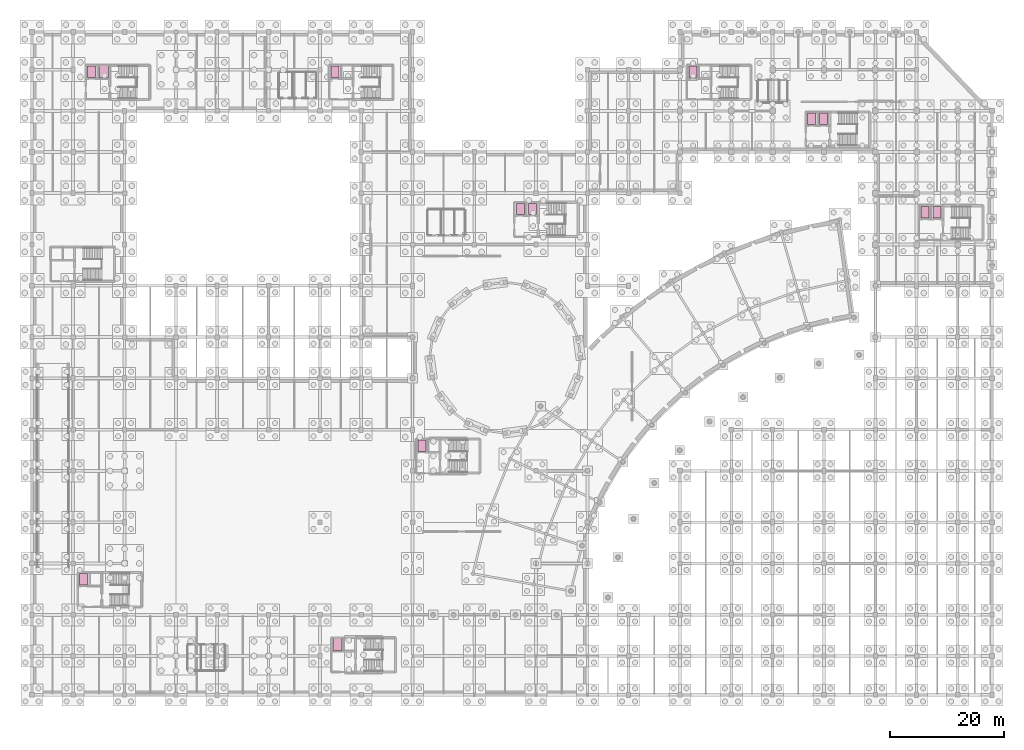
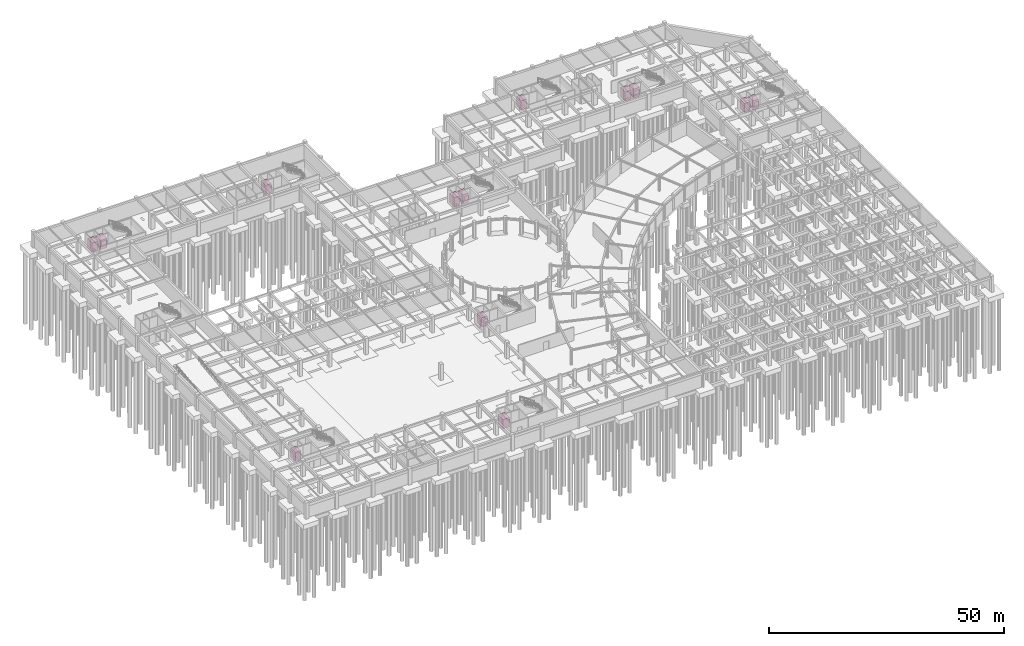
# One storey, part 42 of 42: 13 transport elements.
"""IFC4 building model written with IfcOpenShell, lengths in metres."""

from ifc_helpers import new_model, si_unit, direction, frame, origin, origin_2d, place, context, subcontext, project, spatial, rectangle, extrude, material, type_object, element, save


model = new_model("IFC4")

# Units and contexts
model_context = context("Model", 3, precision=1e-05, world=origin(), true_north=direction((0.0, 1.0)))
body_context = subcontext(model_context, "Body", "Model", "MODEL_VIEW")
ifc_project = project(units=[si_unit("LENGTHUNIT", "METRE"), si_unit("AREAUNIT", "SQUARE_METRE"), si_unit("VOLUMEUNIT", "CUBIC_METRE"), si_unit("PLANEANGLEUNIT", "RADIAN"), si_unit("MASSUNIT", "GRAM", prefix="KILO")], contexts=[model_context])

# Site, building, storey
site_placement = place(None, origin())
site = spatial("IfcSite", under=ifc_project, at=site_placement, CompositionType="ELEMENT")
building_placement = place(site_placement, origin())
building = spatial("IfcBuilding", under=site, at=building_placement, Name="Clarverna Civic Hall", CompositionType="ELEMENT")
storey_placement = place(building_placement, frame((0.0, 0.0, -4.199951171875)))
storey = spatial("IfcBuildingStorey", under=building, at=storey_placement, Name="B01", CompositionType="ELEMENT", Elevation=-4.199951171875)

# Transport elements
ifc_material_1 = material(Name="Brushed Bronze Stainless Lift Car")
transport_element_type_1 = type_object("IfcTransportElementType", Name="LF-FF1", PredefinedType="ELEVATOR", material=ifc_material_1)
for number, where, z_axis, x_axis, name in (
    (1, (136.449951171875, 100.820068359375, 0.0), (0.0, 0.0, 1.0), (1.0, 0.0, 0.0), "EL-01"),
    (2, (156.25, 84.419921875, 0.0), (0.0, 0.0, 1.0), (1.0, 0.0, 0.0), "EL-02"),
    (3, (85.449951171875, 85.02001953125, 0.0), (0.0, 0.0, 1.0), (1.0, 0.0, 0.0), "EL-03"),
    (4, (10.449951171875, 109.02001953125, 0.0), (0.0, 0.0, 1.0), (1.0, 0.0, 0.0), "EL-04"),
):
    element("IfcTransportElement", number, at=place(storey_placement, frame(where, z_axis=z_axis, x_axis=x_axis)), inside=storey, type_object=transport_element_type_1, Name=name, PredefinedType="ELEVATOR", context=body_context, shape_type="SweptSolid", body=[
        extrude(rectangle(XDim=1.39990234375, YDim=2.0, at=origin_2d()), origin(), (0.0, 0.0, 1.0), 2.39990234375),
    ])
ifc_material_2 = material(Name="Brushed Stainless Heavy-Duty Goods Lift Car")
transport_element_type_2 = type_object("IfcTransportElementType", Name="LF-GD1", PredefinedType="ELEVATOR", material=ifc_material_2)
for number, where, z_axis, x_axis, name in (
    (5, (12.550048828125, 109.02001953125, 0.0), (0.0, 0.0, 1.0), (1.0, 0.0, 0.0), "GL-01"),
    (6, (53.449951171875, 8.820068359375, 0.0), (0.0, 0.0, 1.0), (1.0, 0.0, 0.0), "GL-02"),
):
    element("IfcTransportElement", number, at=place(storey_placement, frame(where, z_axis=z_axis, x_axis=x_axis)), inside=storey, type_object=transport_element_type_2, Name=name, PredefinedType="ELEVATOR", context=body_context, shape_type="SweptSolid", body=[
        extrude(rectangle(XDim=1.60009765625, YDim=2.199951171875, at=origin_2d()), origin(), (0.0, 0.0, 1.0), 2.39990234375),
    ])
transport_element_type_3 = type_object("IfcTransportElementType", Name="LF-PA1", PredefinedType="ELEVATOR", material=ifc_material_1)
for number, where, z_axis, x_axis, name in (
    (7, (138.550048828125, 100.820068359375, 0.0), (0.0, 0.0, 1.0), (1.0, 0.0, 0.0), "PL-01"),
    (8, (158.35009765625, 84.419921875, 0.0), (0.0, 0.0, 1.0), (1.0, 0.0, 0.0), "PL-02"),
    (9, (87.550048828125, 85.02001953125, 0.0), (0.0, 0.0, 1.0), (1.0, 0.0, 0.0), "PL-03"),
    (10, (68.25, 43.6201171875, 0.0), (0.0, 0.0, 1.0), (1.0, 0.0, 0.0), "PL-04"),
    (11, (9.050048828125, 20.219970703125, 0.0), (0.0, 0.0, 1.0), (1.0, 0.0, 0.0), "PL-05"),
    (12, (115.64990234375, 109.02001953125, 0.0), (0.0, 0.0, 1.0), (1.0, 0.0, 0.0), "PL-06"),
    (13, (53.050048828125, 109.02001953125, 0.0), (0.0, 0.0, 1.0), (1.0, 0.0, 0.0), "PL-07"),
):
    element("IfcTransportElement", number, at=place(storey_placement, frame(where, z_axis=z_axis, x_axis=x_axis)), inside=storey, type_object=transport_element_type_3, Name=name, PredefinedType="ELEVATOR", context=body_context, shape_type="SweptSolid", body=[
        extrude(rectangle(XDim=1.39990234375, YDim=2.0, at=origin_2d()), origin(), (0.0, 0.0, 1.0), 2.39990234375),
    ])

save(model, "model.ifc")
